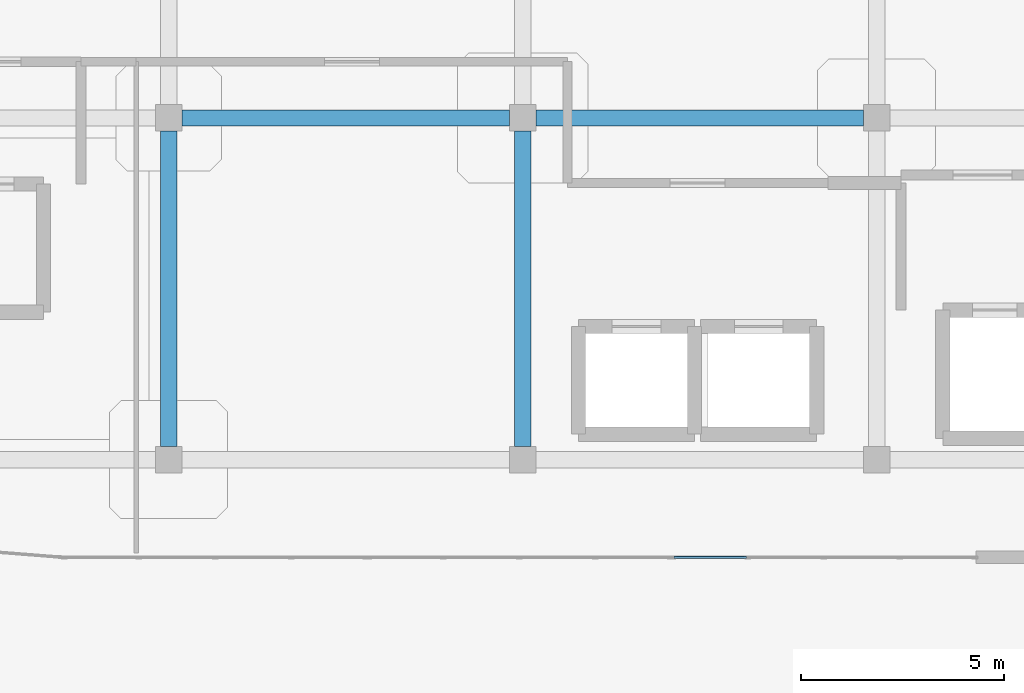
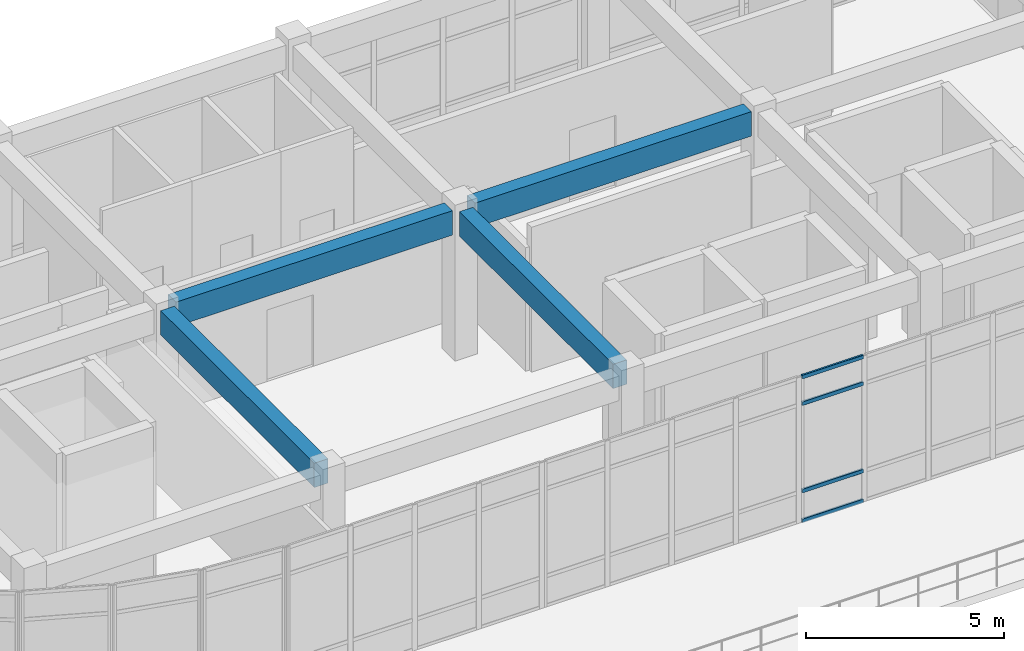
# One storey, part 14 of 41: 4 beams, 4 members, 1 element without a shape of its own.
"""IFC4 building model written with IfcOpenShell, lengths in metres."""

from ifc_helpers import new_model, si_unit, derived_unit, direction, frame, origin, origin_2d, place, context, subcontext, project, spatial, rectangle, hollow_rectangle, extrude, material, layer, layer_set, material_profile, profile_set, type_object, element, aggregate, save


model = new_model("IFC4")

# Units and contexts
model_context = context("Model", 3, precision=1e-05, world=origin(), true_north=direction((0.0, 1.0)))
body_context = subcontext(model_context, "Body", "Model", "MODEL_VIEW")
ifc_project = project(units=[si_unit("LENGTHUNIT", "METRE"), si_unit("AREAUNIT", "SQUARE_METRE"), si_unit("VOLUMEUNIT", "CUBIC_METRE"), si_unit("PLANEANGLEUNIT", "RADIAN"), si_unit("MASSUNIT", "GRAM", prefix="KILO"), derived_unit("THERMALTRANSMITTANCEUNIT", [(si_unit("MASSUNIT", "GRAM", prefix="KILO"), 1), (si_unit("TIMEUNIT", "SECOND"), -3), (si_unit("THERMODYNAMICTEMPERATUREUNIT", "KELVIN"), -1)])], contexts=[model_context])

# Site, building, storey
site_placement = place(None, origin())
site = spatial("IfcSite", under=ifc_project, at=site_placement, CompositionType="ELEMENT")
building_placement = place(site_placement, origin())
building = spatial("IfcBuilding", under=site, at=building_placement, Name="Qinzheling Arcade Emporium", CompositionType="ELEMENT")
storey_placement = place(building_placement, frame((0.0, 0.0, 36.300048828125)))
storey = spatial("IfcBuildingStorey", under=building, at=storey_placement, Name="L08", CompositionType="ELEMENT", Elevation=36.300048828125)

# Curtain wall, members
ifc_material_1 = material(Name="Anodised aluminium and solar-control double glazing", Category="aluminium")
ifc_layer = layer(ifc_material_1, 0.159912109375, Name="Anodised aluminium and solar-control double glazing", Category="aluminium")
ifc_layer_set = layer_set([ifc_layer], Name="Anodised aluminium and solar-control double glazing")
curtain_wall_type = type_object("IfcCurtainWallType", Name="Arcade Portal Glazed Curtain Wall", PredefinedType="NOTDEFINED", material=ifc_layer_set)
curtain_wall_placement = place(storey_placement, origin())
curtain_wall = element("IfcCurtainWall", 1, at=curtain_wall_placement, inside=storey, type_object=curtain_wall_type, Name="Curtain Wall CW-L08-450", PredefinedType="NOTDEFINED")
ifc_material_2 = material(Name="Anodised aluminium 6063-T6", Category="aluminium")
ifc_material_profile_1 = material_profile(ifc_material_2, hollow_rectangle(XDim=0.06005859375, YDim=0.1201171875, WallThickness=0.00390625, InnerFilletRadius=0.00390625, OuterFilletRadius=0.008056640625, at=origin_2d()), Name="RHS 120x60x4", Category="aluminium")
ifc_profile_set_1 = profile_set([ifc_material_profile_1], Name="Anodised aluminium 6063-T6")
member_type = type_object("IfcMemberType", Name="Curtain Wall Transom RHS120x60", PredefinedType="USERDEFINED", material=ifc_profile_set_1)
member_1_placement = place(storey_placement, frame((49.0009765625, 22.800048828125, 0.030029296875), z_axis=(-1.0, 0.0, 0.0), x_axis=(0.0, -1.0, 0.0)))
member_1 = element("IfcMember", 2, at=member_1_placement, type_object=member_type, Name="CW05 transom 4.1", ObjectType="TRANSOM", PredefinedType="USERDEFINED", context=body_context, shape_type="SweptSolid", body=[
    extrude(hollow_rectangle(XDim=0.06005859375, YDim=0.1201171875, WallThickness=0.00390625, InnerFilletRadius=0.00390625, OuterFilletRadius=0.008056640625, at=origin_2d()), origin(), (0.0, 0.0, 1.0), 1.779052734375),
])
member_2_placement = place(storey_placement, frame((49.0009765625, 22.800048828125, 0.949951171875), z_axis=(-1.0, 0.0, 0.0), x_axis=(0.0, -1.0, 0.0)))
member_2 = element("IfcMember", 3, at=member_2_placement, type_object=member_type, Name="CW05 transom 4.2", ObjectType="TRANSOM", PredefinedType="USERDEFINED", context=body_context, shape_type="SweptSolid", body=[
    extrude(hollow_rectangle(XDim=0.06005859375, YDim=0.1201171875, WallThickness=0.00390625, InnerFilletRadius=0.00390625, OuterFilletRadius=0.008056640625, at=origin_2d()), origin(), (0.0, 0.0, 1.0), 1.779052734375),
])
member_3_placement = place(storey_placement, frame((49.0009765625, 22.800048828125, 3.639892578125), z_axis=(-1.0, 0.0, 0.0), x_axis=(0.0, -1.0, 0.0)))
member_3 = element("IfcMember", 4, at=member_3_placement, type_object=member_type, Name="CW05 transom 4.3", ObjectType="TRANSOM", PredefinedType="USERDEFINED", context=body_context, shape_type="SweptSolid", body=[
    extrude(hollow_rectangle(XDim=0.06005859375, YDim=0.1201171875, WallThickness=0.00390625, InnerFilletRadius=0.00390625, OuterFilletRadius=0.008056640625, at=origin_2d()), origin(), (0.0, 0.0, 1.0), 1.779052734375),
])
member_4_placement = place(storey_placement, frame((49.0009765625, 22.800048828125, 4.4599609375), z_axis=(-1.0, 0.0, 0.0), x_axis=(0.0, -1.0, 0.0)))
member_4 = element("IfcMember", 5, at=member_4_placement, type_object=member_type, Name="CW05 transom 4.4", ObjectType="TRANSOM", PredefinedType="USERDEFINED", context=body_context, shape_type="SweptSolid", body=[
    extrude(hollow_rectangle(XDim=0.06005859375, YDim=0.1201171875, WallThickness=0.00390625, InnerFilletRadius=0.00390625, OuterFilletRadius=0.008056640625, at=origin_2d()), origin(), (0.0, 0.0, 1.0), 1.779052734375),
])
aggregate(curtain_wall, [member_1, member_2, member_3, member_4])

# Beams
ifc_material_3 = material(Name="Concrete C40", Category="concrete")
ifc_material_profile_2 = material_profile(ifc_material_3, rectangle(XDim=0.39990234375, YDim=0.75, at=origin_2d()), Name="RC 400x750", Category="concrete")
ifc_profile_set_2 = profile_set([ifc_material_profile_2], Name="Concrete C40")
beam_type = type_object("IfcBeamType", Name="RC Interior Tie Beam 400x750 C40", PredefinedType="BEAM", material=ifc_profile_set_2)
for number, where, z_axis, x_axis, name in (
    (6, (35.125, 33.60009765625, 4.18505859375), (1.0, 0.0, 0.0), (0.0, 1.0, 0.0), "Beam BM-L08-X-E-5"),
    (7, (43.824951171875, 33.60009765625, 4.18505859375), (1.0, 0.0, 0.0), (0.0, 1.0, 0.0), "Beam BM-L08-X-E-6"),
):
    element("IfcBeam", number, at=place(storey_placement, frame(where, z_axis=z_axis, x_axis=x_axis)), inside=storey, type_object=beam_type, Name=name, PredefinedType="BEAM", context=body_context, shape_type="SweptSolid", body=[
        extrude(rectangle(XDim=0.39990234375, YDim=0.75, at=origin_2d()), origin(), (0.0, 0.0, 1.0), 8.050048828125),
    ])
for number, where, z_axis, x_axis, name in (
    (8, (34.800048828125, 25.52490234375, 4.18505859375), (0.0, 1.0, 0.0), (-1.0, 0.0, 0.0), "Beam BM-L08-Y-5-D"),
    (9, (43.5, 25.52490234375, 4.18505859375), (0.0, 1.0, 0.0), (-1.0, 0.0, 0.0), "Beam BM-L08-Y-6-D"),
):
    element("IfcBeam", number, at=place(storey_placement, frame(where, z_axis=z_axis, x_axis=x_axis)), inside=storey, type_object=beam_type, Name=name, PredefinedType="BEAM", context=body_context, shape_type="SweptSolid", body=[
        extrude(rectangle(XDim=0.39990234375, YDim=0.75, at=origin_2d()), origin(), (0.0, 0.0, 1.0), 7.75),
    ])

save(model, "model.ifc")
